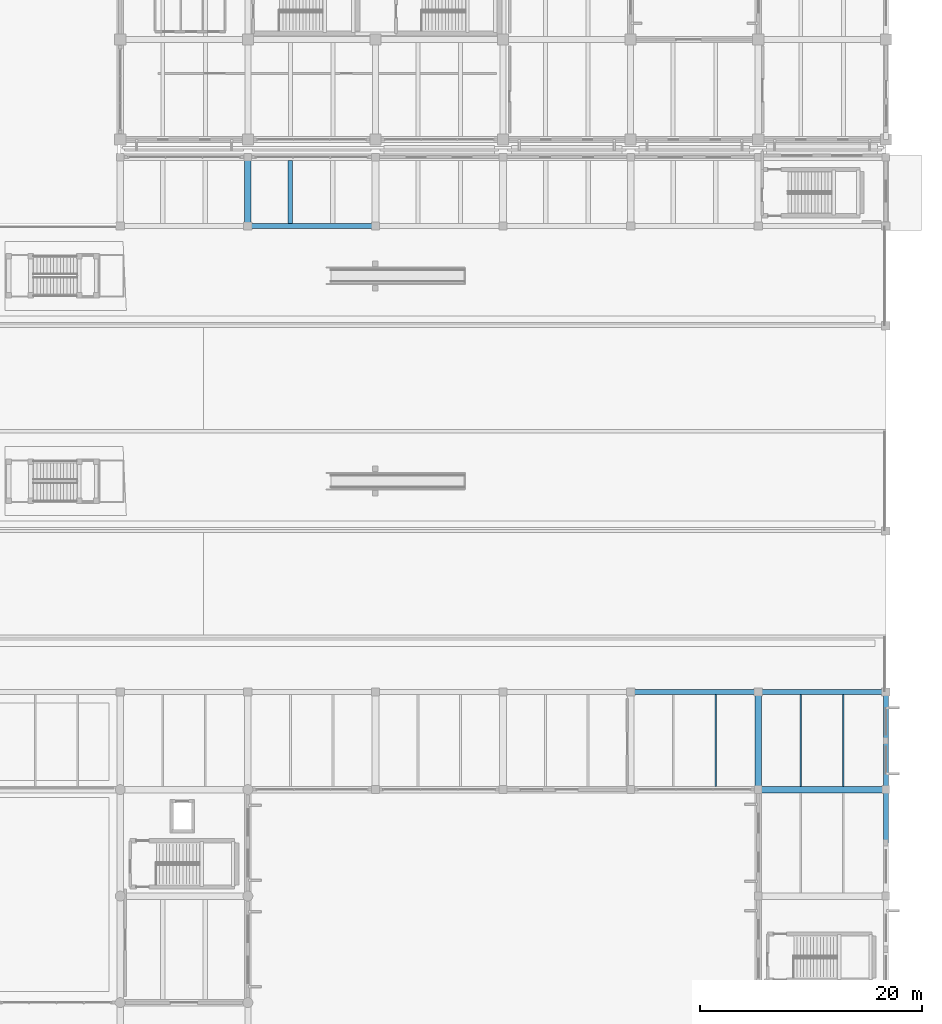
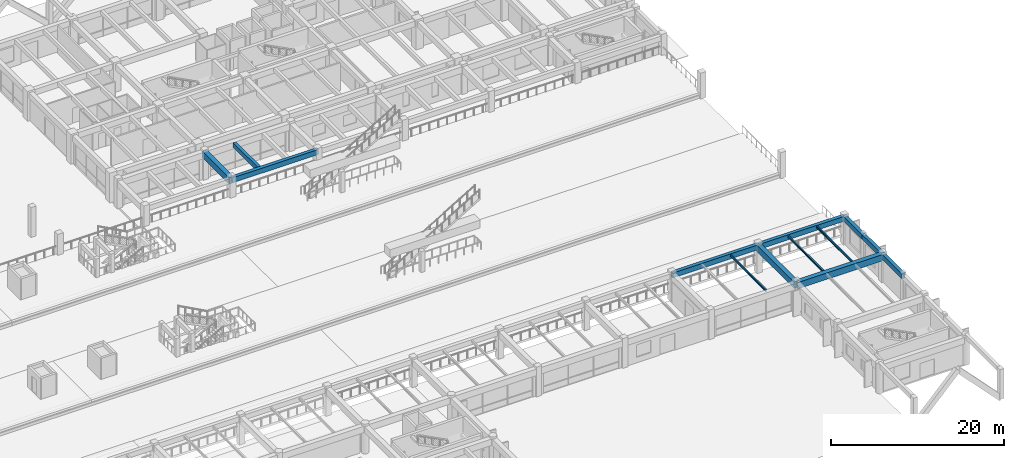
# One storey, part 62 of 109: 13 beams.
"""IFC4 building model written with IfcOpenShell, lengths in metres."""

from ifc_helpers import new_model, si_unit, direction, frame, origin, origin_2d, place, context, subcontext, project, spatial, rectangle, i_section, extrude, material, material_profile, profile_set, type_object, element, save


model = new_model("IFC4")

# Units and contexts
model_context = context("Model", 3, precision=1e-05, world=origin(), true_north=direction((0.0, 1.0)))
body_context = subcontext(model_context, "Body", "Model", "MODEL_VIEW")
ifc_project = project(units=[si_unit("LENGTHUNIT", "METRE"), si_unit("AREAUNIT", "SQUARE_METRE"), si_unit("VOLUMEUNIT", "CUBIC_METRE"), si_unit("PLANEANGLEUNIT", "RADIAN"), si_unit("MASSUNIT", "GRAM", prefix="KILO")], contexts=[model_context])

# Site, building, storey
site_placement = place(None, origin())
site = spatial("IfcSite", under=ifc_project, at=site_placement, CompositionType="ELEMENT")
building_placement = place(site_placement, origin())
building = spatial("IfcBuilding", under=site, at=building_placement, Name="Ologun Quay Terminus", CompositionType="ELEMENT")
storey_placement = place(building_placement, origin())
storey = spatial("IfcBuildingStorey", under=building, at=storey_placement, Name="L00", CompositionType="ELEMENT", Elevation=0.0)

# Beams
ifc_material_1 = material(Name="Steel S355", Category="steel")
ifc_material_profile_1 = material_profile(ifc_material_1, i_section(OverallWidth=0.1650390625, OverallDepth=0.303466796875, WebThickness=0.006103515625, FlangeThickness=0.01025390625, at=origin_2d()), Name="UKB 305x165x40")
ifc_profile_set_1 = profile_set([ifc_material_profile_1], Name="Steel S355")
beam_type_1 = type_object("IfcBeamType", Name="Mezzanine Steel Joist UKB305", PredefinedType="JOIST", material=ifc_profile_set_1)
for number, where, z_axis, x_axis, name in (
    (1, (168.666748046875, 27.5, 3.748291015625), (0.0, 1.0, 0.0), (-1.0, 0.0, 0.0), "SJ1 Beam 15/D L00"),
    (2, (176.333251953125, 27.5, 3.748291015625), (0.0, 1.0, 0.0), (-1.0, 0.0, 0.0), "SJ1 Beam 16/D L00"),
    (3, (180.166748046875, 27.5, 3.748291015625), (0.0, 1.0, 0.0), (-1.0, 0.0, 0.0), "SJ1 Beam 16/D L00"),
):
    element("IfcBeam", number, at=place(storey_placement, frame(where, z_axis=z_axis, x_axis=x_axis)), inside=storey, type_object=beam_type_1, Name=name, PredefinedType="JOIST", context=body_context, shape_type="SweptSolid", body=[
        extrude(i_section(OverallWidth=0.1650390625, OverallDepth=0.303466796875, WebThickness=0.006103515625, FlangeThickness=0.01025390625, at=origin_2d()), origin(), (0.0, 0.0, 1.0), 8.27490234375),
    ])
ifc_material_2 = material(Name="Concrete C40/50", Category="concrete")
ifc_material_profile_2 = material_profile(ifc_material_2, rectangle(XDim=0.449951171875, YDim=0.699951171875, at=origin_2d()), Name="RC 450x700")
ifc_profile_set_2 = profile_set([ifc_material_profile_2], Name="Concrete C40/50")
beam_type_2 = type_object("IfcBeamType", Name="Perimeter Spandrel Beam 450x700", PredefinedType="SPANDREL", material=ifc_profile_set_2)
for number, where, z_axis, x_axis, name in (
    (4, (161.0, 36.0, 3.550048828125), (1.0, 0.0, 0.0), (0.0, 1.0, 0.0), "SP1 Beam 15/E L00"),
    (5, (172.5, 36.0, 3.550048828125), (1.0, 0.0, 0.0), (0.0, 1.0, 0.0), "SP1 Beam 16/E L00"),
    (6, (126.5, 78.0, 3.550048828125), (1.0, 0.0, 0.0), (0.0, 1.0, 0.0), "SP1 Beam 12/F L00"),
):
    element("IfcBeam", number, at=place(storey_placement, frame(where, z_axis=z_axis, x_axis=x_axis)), inside=storey, type_object=beam_type_2, Name=name, PredefinedType="SPANDREL", context=body_context, shape_type="SweptSolid", body=[
        extrude(rectangle(XDim=0.449951171875, YDim=0.699951171875, at=origin_2d()), origin(), (0.0, 0.0, 1.0), 11.5),
    ])
beam_1_placement = place(storey_placement, frame((184.0, 22.39990234375, 3.550048828125), z_axis=(0.0, 1.0, 0.0), x_axis=(-1.0, 0.0, 0.0)))
element("IfcBeam", 7, at=beam_1_placement, inside=storey, type_object=beam_type_2, Name="SP1 Beam 17/C L00", PredefinedType="SPANDREL", context=body_context, shape_type="SweptSolid", body=[
    extrude(rectangle(XDim=0.449951171875, YDim=0.699951171875, at=origin_2d()), origin(), (0.0, 0.0, 1.0), 4.800048828125),
])
beam_2_placement = place(storey_placement, frame((184.0, 27.199951171875, 3.550048828125), z_axis=(0.0, 1.0, 0.0), x_axis=(-1.0, 0.0, 0.0)))
element("IfcBeam", 8, at=beam_2_placement, inside=storey, type_object=beam_type_2, Name="SP1 Beam 17/D L00", PredefinedType="SPANDREL", context=body_context, shape_type="SweptSolid", body=[
    extrude(rectangle(XDim=0.449951171875, YDim=0.699951171875, at=origin_2d()), origin(), (0.0, 0.0, 1.0), 4.400146484375),
])
beam_3_placement = place(storey_placement, frame((184.0, 31.60009765625, 3.550048828125), z_axis=(0.0, 1.0, 0.0), x_axis=(-1.0, 0.0, 0.0)))
element("IfcBeam", 9, at=beam_3_placement, inside=storey, type_object=beam_type_2, Name="SP1 Beam 17/D L00", PredefinedType="SPANDREL", context=body_context, shape_type="SweptSolid", body=[
    extrude(rectangle(XDim=0.449951171875, YDim=0.699951171875, at=origin_2d()), origin(), (0.0, 0.0, 1.0), 4.39990234375),
])
ifc_material_3 = material(Name="Concrete C40/50", Category="concrete")
ifc_material_profile_3 = material_profile(ifc_material_3, rectangle(XDim=0.60009765625, YDim=0.89990234375, at=origin_2d()), Name="RC 600x900")
ifc_profile_set_3 = profile_set([ifc_material_profile_3], Name="Concrete C40/50")
beam_type_3 = type_object("IfcBeamType", Name="Station Frame Girder 600x900", PredefinedType="BEAM", material=ifc_profile_set_3)
beam_4_placement = place(storey_placement, frame((172.5, 27.199951171875, 3.449951171875), z_axis=(1.0, 0.0, 0.0), x_axis=(0.0, 1.0, 0.0)))
element("IfcBeam", 10, at=beam_4_placement, inside=storey, type_object=beam_type_3, Name="B3 Beam 16/D L00", PredefinedType="BEAM", context=body_context, shape_type="SweptSolid", body=[
    extrude(rectangle(XDim=0.60009765625, YDim=0.89990234375, at=origin_2d()), origin(), (0.0, 0.0, 1.0), 11.5),
])
beam_5_placement = place(storey_placement, frame((126.5, 78.0, 3.449951171875), z_axis=(0.0, 1.0, 0.0), x_axis=(-1.0, 0.0, 0.0)))
element("IfcBeam", 11, at=beam_5_placement, inside=storey, type_object=beam_type_3, Name="B3 Beam 12/F L00", PredefinedType="BEAM", context=body_context, shape_type="SweptSolid", body=[
    extrude(rectangle(XDim=0.60009765625, YDim=0.89990234375, at=origin_2d()), origin(), (0.0, 0.0, 1.0), 6.199951171875),
])
beam_6_placement = place(storey_placement, frame((172.5, 27.199951171875, 3.449951171875), z_axis=(0.0, 1.0, 0.0), x_axis=(-1.0, 0.0, 0.0)))
element("IfcBeam", 12, at=beam_6_placement, inside=storey, type_object=beam_type_3, Name="B3 Beam 16/D L00", PredefinedType="BEAM", context=body_context, shape_type="SweptSolid", body=[
    extrude(rectangle(XDim=0.60009765625, YDim=0.89990234375, at=origin_2d()), origin(), (0.0, 0.0, 1.0), 8.800048828125),
])
ifc_material_4 = material(Name="Concrete C40/50", Category="concrete")
ifc_material_profile_4 = material_profile(ifc_material_4, rectangle(XDim=0.39990234375, YDim=0.64990234375, at=origin_2d()), Name="RC 400x650")
ifc_profile_set_4 = profile_set([ifc_material_profile_4], Name="Concrete C40/50")
beam_type_4 = type_object("IfcBeamType", Name="Station Secondary Joist 400x650", PredefinedType="JOIST", material=ifc_profile_set_4)
beam_7_placement = place(storey_placement, frame((130.333251953125, 78.22509765625, 3.574951171875), z_axis=(0.0, 1.0, 0.0), x_axis=(-1.0, 0.0, 0.0)))
element("IfcBeam", 13, at=beam_7_placement, inside=storey, type_object=beam_type_4, Name="J1 Beam 12/F L00", PredefinedType="JOIST", context=body_context, shape_type="SweptSolid", body=[
    extrude(rectangle(XDim=0.39990234375, YDim=0.64990234375, at=origin_2d()), origin(), (0.0, 0.0, 1.0), 5.6748046875),
])

save(model, "model.ifc")
